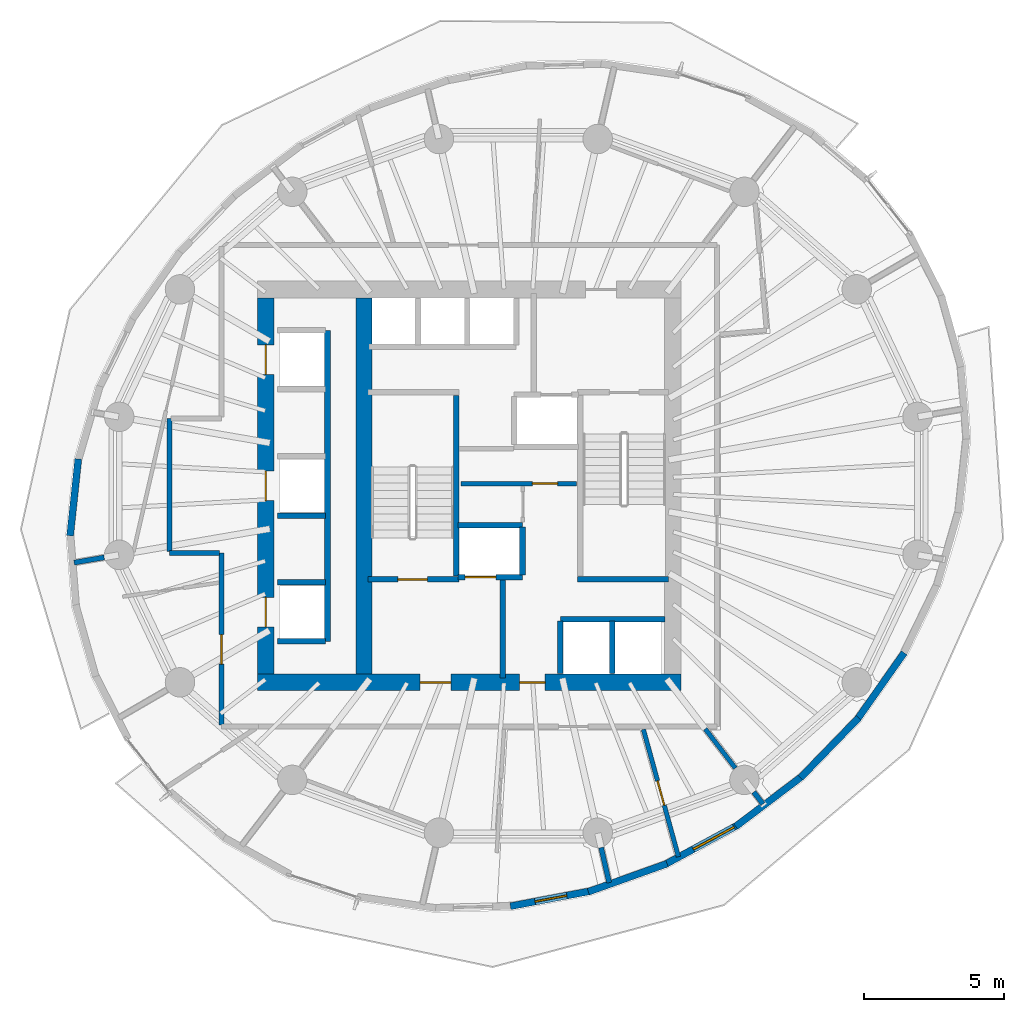
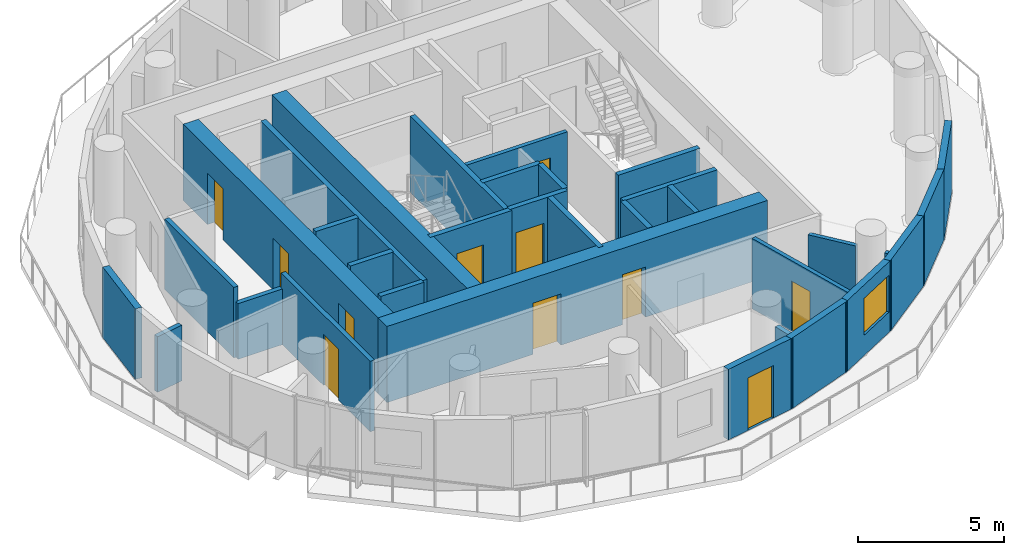
# One storey, part 5 of 12: 33 walls, 11 doors, 1 window, 12 openings.
"""IFC4 building model written with IfcOpenShell, lengths in metres."""

from ifc_helpers import new_model, si_unit, direction, frame, frame_2d, origin, place, context, subcontext, project, spatial, rectangle, extrude, material, layer, layer_set, type_object, element, fill, save


model = new_model("IFC4")

# Units and contexts
model_context = context("Model", 3, precision=1e-05, world=origin(), true_north=direction((0.0, 1.0)))
body_context = subcontext(model_context, "Body", "Model", "MODEL_VIEW")
ifc_project = project(units=[si_unit("LENGTHUNIT", "METRE"), si_unit("AREAUNIT", "SQUARE_METRE"), si_unit("VOLUMEUNIT", "CUBIC_METRE"), si_unit("PLANEANGLEUNIT", "RADIAN"), si_unit("MASSUNIT", "GRAM", prefix="KILO")], contexts=[model_context])

# Site, building, storey
site_placement = place(None, origin())
site = spatial("IfcSite", under=ifc_project, at=site_placement, CompositionType="ELEMENT")
building_placement = place(site_placement, origin())
building = spatial("IfcBuilding", under=site, at=building_placement, Name="Veldorim Arch Residences", CompositionType="ELEMENT")
storey_placement = place(building_placement, frame((0.0, 0.0, 136.159912109375)))
storey = spatial("IfcBuildingStorey", under=building, at=storey_placement, Name="L40", CompositionType="ELEMENT", Elevation=136.159912109375)

# Walls
ifc_material_1 = material(Name="Lightweight Masonry Block & Gypsum", Category="masonry")
ifc_layer_1 = layer(ifc_material_1, 0.179931640625, Name="Compartment & Corridor Fire-Rated Party Wall 180")
ifc_layer_set_1 = layer_set([ifc_layer_1], Name="Lightweight Masonry Block & Gypsum")
wall_type_1 = type_object("IfcWallType", Name="Compartment & Corridor Fire-Rated Party Wall 180", PredefinedType="PARTITIONING", material=ifc_layer_set_1)
wall_1_placement = place(storey_placement, frame((17.24169921875, 21.44921875, 0.0), z_axis=(0.0, 0.0, 1.0), x_axis=(-0.985361391556, -0.170478526599, 0.0)))
element("IfcWall", 1, at=wall_1_placement, inside=storey, type_object=wall_type_1, Name="L40 interior wall WL-PIER-L40-09", PredefinedType="PARTITIONING", context=body_context, shape_type="SweptSolid", body=[
    extrude(rectangle(XDim=1.0869140625, YDim=0.179931640625, at=frame_2d((0.54345703125, 0.0))), origin(), (0.0, 0.0, 1.0), 2.3359375),
])
wall_2_placement = place(storey_placement, frame((34.950439453125, 11.11083984375, 0.0), z_axis=(0.0, 0.0, 1.0), x_axis=(0.223093561241, -0.974797036789, 0.0)))
element("IfcWall", 2, at=wall_2_placement, inside=storey, type_object=wall_type_1, Name="L40 interior wall WL-PIER-L40-13", PredefinedType="PARTITIONING", context=body_context, shape_type="SweptSolid", body=[
    extrude(rectangle(XDim=1.282470703125, YDim=0.179931640625, at=frame_2d((0.64111328125, 0.0))), origin(), (0.0, 0.0, 1.0), 2.3359375),
])
wall_3_placement = place(storey_placement, frame((40.387939453125, 13.091552734375, 0.0), z_axis=(0.0, 0.0, 1.0), x_axis=(0.609469486836, -0.792809526063, 0.0)))
element("IfcWall", 3, at=wall_3_placement, inside=storey, type_object=wall_type_1, Name="L40 interior wall WL-PIER-L40-14", PredefinedType="PARTITIONING", context=body_context, shape_type="SweptSolid", body=[
    extrude(rectangle(XDim=0.5380859375, YDim=0.179931640625, at=frame_2d((0.26904296875, 0.0))), origin(), (0.0, 0.0, 1.0), 2.3359375),
])

# Wall, opening, door
wall_4_placement = place(storey_placement, frame((21.419921875, 15.47998046875, 0.0), z_axis=(0.0, 0.0, 1.0), x_axis=(0.0, 1.0, 0.0)))
wall_4 = element("IfcWall", 4, at=wall_4_placement, inside=storey, type_object=wall_type_1, Name="L40 interior wall WL-RES-L40-006", PredefinedType="PARTITIONING", context=body_context, shape_type="SweptSolid", body=[
    extrude(rectangle(XDim=6.1201171875, YDim=0.179931640625, at=frame_2d((3.06005859375, 0.0))), origin(), (0.0, 0.0, 1.0), 2.955078125),
])
opening_1_placement = place(wall_4_placement, frame((2.166748046875, 0.0, 0.0)))
opening_1 = element("IfcOpeningElement", 5, at=opening_1_placement, cuts=wall_4, Name="Opening DR-FLT", PredefinedType="OPENING", context=body_context, shape_type="SweptSolid", body=[
    extrude(rectangle(XDim=1.050048828125, YDim=2.14990234375, at=frame_2d((0.52490234375, 1.074951171875))), frame((0.0, 0.099853515625, 0.0), z_axis=(0.0, -1.0, 0.0), x_axis=(1.0, 0.0, 0.0)), (0.0, 0.0, 1.0), 0.199951171875),
])
ifc_material_2 = material(Name="Fire-Rated Timber", Category="wood")
door_type_1 = type_object("IfcDoorType", Name="Apartment Entrance Solid-Core Fire Door 1050x2150", OperationType="SINGLE_SWING_LEFT", PredefinedType="DOOR", material=ifc_material_2)
door_1_placement = place(opening_1_placement, origin())
door_1 = element("IfcDoor", 6, at=door_1_placement, inside=storey, type_object=door_type_1, Name="L40 interior door DR-RES-L40-011", OperationType="SINGLE_SWING_LEFT", OverallHeight=2.14990234375, OverallWidth=1.050048828125, PredefinedType="DOOR", context=body_context, shape_type="SweptSolid", body=[
    extrude(rectangle(XDim=1.050048828125, YDim=2.14990234375, at=frame_2d((0.52490234375, 1.074951171875))), frame((0.0, 0.02490234375, 0.0), z_axis=(0.0, -1.0, 0.0), x_axis=(1.0, 0.0, 0.0)), (0.0, 0.0, 1.0), 0.050048828125),
])
fill(opening_1, door_1)

# Walls
wall_5_placement = place(storey_placement, frame((21.360107421875, 21.60009765625, 0.0), z_axis=(0.0, 0.0, 1.0), x_axis=(-1.0, 0.0, 0.0)))
element("IfcWall", 7, at=wall_5_placement, inside=storey, type_object=wall_type_1, Name="L40 interior wall WL-RES-L40-007", PredefinedType="PARTITIONING", context=body_context, shape_type="SweptSolid", body=[
    extrude(rectangle(XDim=1.7900390625, YDim=0.179931640625, at=frame_2d((0.89501953125, 0.0))), origin(), (0.0, 0.0, 1.0), 2.3359375),
])
wall_6_placement = place(storey_placement, frame((19.570068359375, 21.659912109375, 0.0), z_axis=(0.0, 0.0, 1.0), x_axis=(0.0, 1.0, 0.0)))
element("IfcWall", 8, at=wall_6_placement, inside=storey, type_object=wall_type_1, Name="L40 interior wall WL-RES-L40-008", PredefinedType="PARTITIONING", context=body_context, shape_type="SweptSolid", body=[
    extrude(rectangle(XDim=4.739990234375, YDim=0.179931640625, at=frame_2d((2.3701171875, 0.0))), origin(), (0.0, 0.0, 1.0), 2.955078125),
])
ifc_material_3 = material(Name="Concrete C50/60", Category="concrete")
ifc_layer_2 = layer(ifc_material_3, 0.199951171875, Name="Core Stair & Lift Shaft Enclosure Wall 200")
ifc_layer_set_2 = layer_set([ifc_layer_2], Name="Concrete C50/60")
wall_type_2 = type_object("IfcWallType", Name="Core Stair & Lift Shaft Enclosure Wall 200", PredefinedType="SHEAR", material=ifc_layer_set_2)
wall_7_placement = place(storey_placement, frame((29.7900390625, 20.780029296875, 0.0), z_axis=(0.0, 0.0, 1.0), x_axis=(0.0, 1.0, 0.0)))
element("IfcWall", 9, at=wall_7_placement, inside=storey, type_object=wall_type_2, Name="L40 shaft wall WL-SHF-L40-ST1-E", PredefinedType="SHEAR", context=body_context, shape_type="SweptSolid", body=[
    extrude(rectangle(XDim=6.43994140625, YDim=0.199951171875, at=frame_2d((3.219970703125, 0.0))), origin(), (0.0, 0.0, 1.0), 3.2001953125),
])

# Wall, opening, door
wall_8_placement = place(storey_placement, frame((26.64990234375, 20.669921875, 0.0), z_axis=(0.0, 0.0, 1.0), x_axis=(1.0, 0.0, 0.0)))
wall_8 = element("IfcWall", 10, at=wall_8_placement, inside=storey, type_object=wall_type_2, Name="L40 shaft wall WL-SHF-L40-ST1-S", PredefinedType="SHEAR", context=body_context, shape_type="SweptSolid", body=[
    extrude(rectangle(XDim=3.239990234375, YDim=0.199951171875, at=frame_2d((1.6201171875, 0.0))), origin(), (0.0, 0.0, 1.0), 3.2001953125),
])
opening_2_placement = place(wall_8_placement, frame((1.054931640625, 0.0, 0.0)))
opening_2 = element("IfcOpeningElement", 11, at=opening_2_placement, cuts=wall_8, Name="Opening DR-ST", PredefinedType="OPENING", context=body_context, shape_type="SweptSolid", body=[
    extrude(rectangle(XDim=1.050048828125, YDim=2.14990234375, at=frame_2d((0.52490234375, 1.074951171875))), frame((0.0, 0.10986328125, 0.0), z_axis=(0.0, -1.0, 0.0), x_axis=(1.0, 0.0, 0.0)), (0.0, 0.0, 1.0), 0.219970703125),
])
ifc_material_4 = material(Name="Fire-Rated Steel", Category="steel")
door_type_2 = type_object("IfcDoorType", Name="Exit Staircase Self-Closing Fire Door 1050x2150", OperationType="SINGLE_SWING_LEFT", PredefinedType="DOOR", material=ifc_material_4)
door_2_placement = place(opening_2_placement, origin())
door_2 = element("IfcDoor", 12, at=door_2_placement, inside=storey, type_object=door_type_2, Name="L40 interior door DR-L40-ST1", OperationType="SINGLE_SWING_LEFT", OverallHeight=2.14990234375, OverallWidth=1.050048828125, PredefinedType="DOOR", context=body_context, shape_type="SweptSolid", body=[
    extrude(rectangle(XDim=1.050048828125, YDim=2.14990234375, at=frame_2d((0.52490234375, 1.074951171875))), frame((0.0, 0.02490234375, 0.0), z_axis=(0.0, -1.0, 0.0), x_axis=(1.0, 0.0, 0.0)), (0.0, 0.0, 1.0), 0.050048828125),
])
fill(opening_2, door_2)

# Walls
wall_9_placement = place(storey_placement, frame((34.110107421875, 20.669921875, 0.0), z_axis=(0.0, 0.0, 1.0), x_axis=(1.0, 0.0, 0.0)))
element("IfcWall", 13, at=wall_9_placement, inside=storey, type_object=wall_type_2, Name="L40 shaft wall WL-SHF-L40-ST2-S", PredefinedType="SHEAR", context=body_context, shape_type="SweptSolid", body=[
    extrude(rectangle(XDim=3.239990234375, YDim=0.199951171875, at=frame_2d((1.6201171875, 0.0))), origin(), (0.0, 0.0, 1.0), 3.2001953125),
])
wall_10_placement = place(storey_placement, frame((31.449951171875, 17.14990234375, 0.0), z_axis=(0.0, 0.0, 1.0), x_axis=(0.0, 1.0, 0.0)))
element("IfcWall", 14, at=wall_10_placement, inside=storey, type_object=wall_type_2, Name="L40 shaft wall WL-FFL1-L40-E", PredefinedType="SHEAR", context=body_context, shape_type="SweptSolid", body=[
    extrude(rectangle(XDim=3.5, YDim=0.199951171875, at=frame_2d((1.75, 0.0))), origin(), (0.0, 0.0, 1.0), 3.2001953125),
])

# Wall, opening, door
wall_11_placement = place(storey_placement, frame((29.85009765625, 20.75, 0.0), z_axis=(0.0, 0.0, 1.0), x_axis=(1.0, 0.0, 0.0)))
wall_11 = element("IfcWall", 15, at=wall_11_placement, inside=storey, type_object=wall_type_2, Name="L40 shaft wall WL-FL01-L40-S", PredefinedType="SHEAR", context=body_context, shape_type="SweptSolid", body=[
    extrude(rectangle(XDim=2.2998046875, YDim=0.199951171875, at=frame_2d((1.14990234375, 0.0))), origin(), (0.0, 0.0, 1.0), 3.2001953125),
])
opening_3_placement = place(wall_11_placement, frame((0.25, 0.0, 0.0)))
opening_3 = element("IfcOpeningElement", 16, at=opening_3_placement, cuts=wall_11, Name="Opening LD-FF", PredefinedType="OPENING", context=body_context, shape_type="SweptSolid", body=[
    extrude(rectangle(XDim=1.10009765625, YDim=2.14990234375, at=frame_2d((0.550048828125, 1.074951171875))), frame((0.0, 0.10986328125, 0.0), z_axis=(0.0, -1.0, 0.0), x_axis=(1.0, 0.0, 0.0)), (0.0, 0.0, 1.0), 0.219970703125),
])
ifc_material_5 = material(Name="Stainless Steel", Category="steel")
door_type_3 = type_object("IfcDoorType", Name="Firefighting Lift Bi-Parting Sliding Landing Door 1100x2150", OperationType="DOUBLE_DOOR_SLIDING", PredefinedType="DOOR", material=ifc_material_5)
door_3_placement = place(opening_3_placement, origin())
door_3 = element("IfcDoor", 17, at=door_3_placement, inside=storey, type_object=door_type_3, Name="L40 lift landing door LD-L40-FL01", OperationType="DOUBLE_DOOR_SLIDING", OverallHeight=2.14990234375, OverallWidth=1.10009765625, PredefinedType="DOOR", context=body_context, shape_type="SweptSolid", body=[
    extrude(rectangle(XDim=1.10009765625, YDim=2.14990234375, at=frame_2d((0.550048828125, 1.074951171875))), frame((0.0, 0.02490234375, 0.0), z_axis=(0.0, -1.0, 0.0), x_axis=(1.0, 0.0, 0.0)), (0.0, 0.0, 1.0), 0.050048828125),
])
fill(opening_3, door_3)

# Walls
wall_12_placement = place(storey_placement, frame((29.85009765625, 22.60009765625, 0.0), z_axis=(0.0, 0.0, 1.0), x_axis=(1.0, 0.0, 0.0)))
element("IfcWall", 18, at=wall_12_placement, inside=storey, type_object=wall_type_2, Name="L40 shaft wall WL-FL01-L40-N", PredefinedType="SHEAR", context=body_context, shape_type="SweptSolid", body=[
    extrude(rectangle(XDim=2.2998046875, YDim=0.199951171875, at=frame_2d((1.14990234375, 0.0))), origin(), (0.0, 0.0, 1.0), 3.2001953125),
])
wall_13_placement = place(storey_placement, frame((32.14990234375, 20.820068359375, 0.0), z_axis=(0.0, 0.0, 1.0), x_axis=(0.0, 1.0, 0.0)))
element("IfcWall", 19, at=wall_13_placement, inside=storey, type_object=wall_type_2, Name="L40 shaft wall WL-FL01-L40-E", PredefinedType="SHEAR", context=body_context, shape_type="SweptSolid", body=[
    extrude(rectangle(XDim=1.7099609375, YDim=0.199951171875, at=frame_2d((0.85498046875, 0.0))), origin(), (0.0, 0.0, 1.0), 3.2001953125),
])
wall_14_placement = place(storey_placement, frame((25.199951171875, 18.4599609375, 0.0), z_axis=(0.0, 0.0, 1.0), x_axis=(0.0, 1.0, 0.0)))
element("IfcWall", 20, at=wall_14_placement, inside=storey, type_object=wall_type_2, Name="L40 shaft wall WL-B2-L40-E", PredefinedType="SHEAR", context=body_context, shape_type="SweptSolid", body=[
    extrude(rectangle(XDim=11.080078125, YDim=0.199951171875, at=frame_2d((5.5400390625, 0.0))), origin(), (0.0, 0.0, 1.0), 3.2001953125),
])
for number, where, z_axis, x_axis, name in (
    (21, (23.419921875, 18.4599609375, 0.0), (0.0, 0.0, 1.0), (1.0, 0.0, 0.0), "L40 shaft wall WL-B2-L40-S"),
    (22, (23.419921875, 20.56005859375, 0.0), (0.0, 0.0, 1.0), (1.0, 0.0, 0.0), "L40 shaft wall WL-B2-L40-D1A"),
    (23, (23.419921875, 22.93994140625, 0.0), (0.0, 0.0, 1.0), (1.0, 0.0, 0.0), "L40 shaft wall WL-B2-L40-D1B"),
):
    element("IfcWall", number, at=place(storey_placement, frame(where, z_axis=z_axis, x_axis=x_axis)), inside=storey, type_object=wall_type_2, Name=name, PredefinedType="SHEAR", context=body_context, shape_type="SweptSolid", body=[
        extrude(rectangle(XDim=1.7099609375, YDim=0.199951171875, at=frame_2d((0.85498046875, 0.0))), origin(), (0.0, 0.0, 1.0), 3.2001953125),
    ])
wall_15_placement = place(storey_placement, frame((33.5, 19.25, 0.0), z_axis=(0.0, 0.0, 1.0), x_axis=(1.0, 0.0, 0.0)))
element("IfcWall", 24, at=wall_15_placement, inside=storey, type_object=wall_type_2, Name="L40 shaft wall WL-OL-L40-N", PredefinedType="SHEAR", context=body_context, shape_type="SweptSolid", body=[
    extrude(rectangle(XDim=3.719970703125, YDim=0.199951171875, at=frame_2d((1.85986328125, 0.0))), origin(), (0.0, 0.0, 1.0), 3.2001953125),
])
for number, where, z_axis, x_axis, name in (
    (25, (33.5, 17.320068359375, 0.0), (0.0, 0.0, 1.0), (0.0, 1.0, 0.0), "L40 shaft wall WL-OL-L40-W"),
    (26, (35.35009765625, 17.320068359375, 0.0), (0.0, 0.0, 1.0), (0.0, 1.0, 0.0), "L40 shaft wall WL-OL-L40-D1"),
):
    element("IfcWall", number, at=place(storey_placement, frame(where, z_axis=z_axis, x_axis=x_axis)), inside=storey, type_object=wall_type_2, Name=name, PredefinedType="SHEAR", context=body_context, shape_type="SweptSolid", body=[
        extrude(rectangle(XDim=1.85986328125, YDim=0.199951171875, at=frame_2d((0.929931640625, 0.0))), origin(), (0.0, 0.0, 1.0), 3.2001953125),
    ])

# Wall, openings, doors
ifc_material_6 = material(Name="Concrete C50/60", Category="concrete")
ifc_layer_3 = layer(ifc_material_6, 0.60009765625, Name="Mid-Upper Central Core Shear Wall 600")
ifc_layer_set_3 = layer_set([ifc_layer_3], Name="Concrete C50/60")
wall_type_3 = type_object("IfcWallType", Name="Mid-Upper Central Core Shear Wall 600", PredefinedType="SHEAR", material=ifc_layer_set_3)
wall_16_placement = place(storey_placement, frame((22.699951171875, 17.0, 0.0), z_axis=(0.0, 0.0, 1.0), x_axis=(1.0, 0.0, 0.0)))
wall_16 = element("IfcWall", 27, at=wall_16_placement, inside=storey, type_object=wall_type_3, Name="L40 central core south shear wall", PredefinedType="SHEAR", context=body_context, shape_type="SweptSolid", body=[
    extrude(rectangle(XDim=15.10009765625, YDim=0.60009765625, at=frame_2d((7.550048828125, 0.0))), origin(), (0.0, 0.0, 1.0), 3.2001953125),
])
opening_4_placement = place(wall_16_placement, frame((5.800048828125, 0.0, 0.0)))
opening_4 = element("IfcOpeningElement", 28, at=opening_4_placement, cuts=wall_16, Name="Opening DR-FFL", PredefinedType="OPENING", context=body_context, shape_type="SweptSolid", body=[
    extrude(rectangle(XDim=1.10009765625, YDim=2.14990234375, at=frame_2d((0.550048828125, 1.074951171875))), frame((0.0, 0.31005859375, 0.0), z_axis=(0.0, -1.0, 0.0), x_axis=(1.0, 0.0, 0.0)), (0.0, 0.0, 1.0), 0.6201171875),
])
opening_5_placement = place(wall_16_placement, frame((9.35009765625, 0.0, 0.0)))
opening_5 = element("IfcOpeningElement", 29, at=opening_5_placement, cuts=wall_16, Name="Opening DR-SVC", PredefinedType="OPENING", context=body_context, shape_type="SweptSolid", body=[
    extrude(rectangle(XDim=0.89990234375, YDim=2.10009765625, at=frame_2d((0.449951171875, 1.050048828125))), frame((0.0, 0.31005859375, 0.0), z_axis=(0.0, -1.0, 0.0), x_axis=(1.0, 0.0, 0.0)), (0.0, 0.0, 1.0), 0.6201171875),
])
ifc_material_7 = material(Name="Fire-Rated Steel & Vision Glass", Category="steel")
door_type_4 = type_object("IfcDoorType", Name="Firefighting Lobby Smoke-Stop Fire Door 1100x2150", OperationType="SINGLE_SWING_LEFT", PredefinedType="DOOR", material=ifc_material_7)
door_4_placement = place(opening_4_placement, origin())
door_4 = element("IfcDoor", 30, at=door_4_placement, inside=storey, type_object=door_type_4, Name="L40 interior door DR-L40-FFL1", OperationType="SINGLE_SWING_RIGHT", OverallHeight=2.14990234375, OverallWidth=1.10009765625, PredefinedType="DOOR", context=body_context, shape_type="SweptSolid", body=[
    extrude(rectangle(XDim=1.10009765625, YDim=2.14990234375, at=frame_2d((0.550048828125, 1.074951171875))), frame((0.0, 0.02490234375, 0.0), z_axis=(0.0, -1.0, 0.0), x_axis=(1.0, 0.0, 0.0)), (0.0, 0.0, 1.0), 0.050048828125),
])
fill(opening_4, door_4)
ifc_material_8 = material(Name="Fire-Rated Steel", Category="steel")
door_type_5 = type_object("IfcDoorType", Name="Riser, Shelter & Plant Room Rated Steel Door 900x2100", OperationType="SINGLE_SWING_LEFT", PredefinedType="DOOR", material=ifc_material_8)
door_5_placement = place(opening_5_placement, origin())
door_5 = element("IfcDoor", 31, at=door_5_placement, inside=storey, type_object=door_type_5, Name="L40 interior door DR-L40-COR-ANC", OperationType="SINGLE_SWING_LEFT", OverallHeight=2.10009765625, OverallWidth=0.89990234375, PredefinedType="DOOR", context=body_context, shape_type="SweptSolid", body=[
    extrude(rectangle(XDim=0.89990234375, YDim=2.10009765625, at=frame_2d((0.449951171875, 1.050048828125))), frame((0.0, 0.02490234375, 0.0), z_axis=(0.0, -1.0, 0.0), x_axis=(1.0, 0.0, 0.0)), (0.0, 0.0, 1.0), 0.050048828125),
])
fill(opening_5, door_5)

wall_17_placement = place(storey_placement, frame((23.0, 17.300048828125, 0.0), z_axis=(0.0, 0.0, 1.0), x_axis=(0.0, 1.0, 0.0)))
wall_17 = element("IfcWall", 32, at=wall_17_placement, inside=storey, type_object=wall_type_3, Name="L40 central core west shear wall", PredefinedType="SHEAR", context=body_context, shape_type="SweptSolid", body=[
    extrude(rectangle(XDim=13.39990234375, YDim=0.60009765625, at=frame_2d((6.699951171875, 0.0))), origin(), (0.0, 0.0, 1.0), 3.2001953125),
])
opening_6_placement = place(wall_17_placement, frame((1.675048828125, 0.0, 0.0)))
opening_6 = element("IfcOpeningElement", 33, at=opening_6_placement, cuts=wall_17, Name="Opening LD-PS", PredefinedType="OPENING", context=body_context, shape_type="SweptSolid", body=[
    extrude(rectangle(XDim=1.050048828125, YDim=2.14990234375, at=frame_2d((0.52490234375, 1.074951171875))), frame((0.0, 0.31005859375, 0.0), z_axis=(0.0, -1.0, 0.0), x_axis=(1.0, 0.0, 0.0)), (0.0, 0.0, 1.0), 0.6201171875),
])
opening_7_placement = place(wall_17_placement, frame((6.175048828125, 0.0, 0.0)))
opening_7 = element("IfcOpeningElement", 34, at=opening_7_placement, cuts=wall_17, Name="Opening LD-PS", PredefinedType="OPENING", context=body_context, shape_type="SweptSolid", body=[
    extrude(rectangle(XDim=1.050048828125, YDim=2.14990234375, at=frame_2d((0.52490234375, 1.074951171875))), frame((0.0, 0.31005859375, 0.0), z_axis=(0.0, -1.0, 0.0), x_axis=(1.0, 0.0, 0.0)), (0.0, 0.0, 1.0), 0.6201171875),
])
opening_8_placement = place(wall_17_placement, frame((10.675048828125, 0.0, 0.0)))
opening_8 = element("IfcOpeningElement", 35, at=opening_8_placement, cuts=wall_17, Name="Opening LD-PS", PredefinedType="OPENING", context=body_context, shape_type="SweptSolid", body=[
    extrude(rectangle(XDim=1.050048828125, YDim=2.14990234375, at=frame_2d((0.52490234375, 1.074951171875))), frame((0.0, 0.31005859375, 0.0), z_axis=(0.0, -1.0, 0.0), x_axis=(1.0, 0.0, 0.0)), (0.0, 0.0, 1.0), 0.6201171875),
])
ifc_material_9 = material(Name="Stainless Steel", Category="steel")
door_type_6 = type_object("IfcDoorType", Name="Passenger Lift Bi-Parting Sliding Landing Door 1050x2150", OperationType="DOUBLE_DOOR_SLIDING", PredefinedType="DOOR", material=ifc_material_9)
door_6_placement = place(opening_6_placement, origin())
door_6 = element("IfcDoor", 36, at=door_6_placement, inside=storey, type_object=door_type_6, Name="L40 lift landing door LD-L40-PL-05", OperationType="DOUBLE_DOOR_SLIDING", OverallHeight=2.14990234375, OverallWidth=1.050048828125, PredefinedType="DOOR", context=body_context, shape_type="SweptSolid", body=[
    extrude(rectangle(XDim=1.050048828125, YDim=2.14990234375, at=frame_2d((0.52490234375, 1.074951171875))), frame((0.0, 0.02490234375, 0.0), z_axis=(0.0, -1.0, 0.0), x_axis=(1.0, 0.0, 0.0)), (0.0, 0.0, 1.0), 0.050048828125),
])
fill(opening_6, door_6)
door_7_placement = place(opening_7_placement, origin())
door_7 = element("IfcDoor", 37, at=door_7_placement, inside=storey, type_object=door_type_6, Name="L40 lift landing door LD-L40-PL-06", OperationType="DOUBLE_DOOR_SLIDING", OverallHeight=2.14990234375, OverallWidth=1.050048828125, PredefinedType="DOOR", context=body_context, shape_type="SweptSolid", body=[
    extrude(rectangle(XDim=1.050048828125, YDim=2.14990234375, at=frame_2d((0.52490234375, 1.074951171875))), frame((0.0, 0.02490234375, 0.0), z_axis=(0.0, -1.0, 0.0), x_axis=(1.0, 0.0, 0.0)), (0.0, 0.0, 1.0), 0.050048828125),
])
fill(opening_7, door_7)
door_8_placement = place(opening_8_placement, origin())
door_8 = element("IfcDoor", 38, at=door_8_placement, inside=storey, type_object=door_type_6, Name="L40 lift landing door LD-L40-PL-07", OperationType="DOUBLE_DOOR_SLIDING", OverallHeight=2.14990234375, OverallWidth=1.050048828125, PredefinedType="DOOR", context=body_context, shape_type="SweptSolid", body=[
    extrude(rectangle(XDim=1.050048828125, YDim=2.14990234375, at=frame_2d((0.52490234375, 1.074951171875))), frame((0.0, 0.02490234375, 0.0), z_axis=(0.0, -1.0, 0.0), x_axis=(1.0, 0.0, 0.0)), (0.0, 0.0, 1.0), 0.050048828125),
])
fill(opening_8, door_8)

# Wall
ifc_material_10 = material(Name="Precast concrete C40/50", Category="concrete")
ifc_layer_4 = layer(ifc_material_10, 0.25, Name="Tower Terracotta Spandrel & Pier Wall 250")
ifc_layer_set_4 = layer_set([ifc_layer_4], Name="Precast concrete C40/50")
wall_type_4 = type_object("IfcWallType", Name="Tower Terracotta Spandrel & Pier Wall 250", PredefinedType="SOLIDWALL", material=ifc_layer_set_4)
wall_18_placement = place(storey_placement, frame((16.02880859375, 22.22119140625, 0.0), z_axis=(0.0, 0.0, 1.0), x_axis=(0.106010014212, 0.994365062181, 0.0)))
element("IfcWall", 39, at=wall_18_placement, inside=storey, type_object=wall_type_4, Name="L40 terracotta facade wall 15", PredefinedType="SOLIDWALL", context=body_context, shape_type="SweptSolid", body=[
    extrude(rectangle(XDim=2.752197265625, YDim=0.25, at=frame_2d((1.3759765625, 0.0))), origin(), (0.0, 0.0, 1.0), 2.960205078125),
])

# Wall, opening, door
wall_19_placement = place(storey_placement, frame((34.60107421875, 9.56640625, 0.0), z_axis=(0.0, 0.0, 1.0), x_axis=(-0.982637070109, -0.185538105108, 0.0)))
wall_19 = element("IfcWall", 40, at=wall_19_placement, inside=storey, type_object=wall_type_4, Name="L40 terracotta facade wall 25", PredefinedType="SOLIDWALL", context=body_context, shape_type="SweptSolid", body=[
    extrude(rectangle(XDim=2.93701171875, YDim=0.25, at=frame_2d((1.468505859375, 0.0))), origin(), (0.0, 0.0, 1.0), 2.960205078125),
])
opening_9_placement = place(wall_19_placement, frame((0.89306640625, 0.0, 0.0)))
opening_9 = element("IfcOpeningElement", 41, at=opening_9_placement, cuts=wall_19, Name="Opening BL-DR", PredefinedType="OPENING", context=body_context, shape_type="SweptSolid", body=[
    extrude(rectangle(XDim=1.14990234375, YDim=2.199951171875, at=frame_2d((0.574951171875, 1.10009765625))), frame((0.0, 0.135009765625, 0.0), z_axis=(0.0, -1.0, 0.0), x_axis=(1.0, 0.0, 0.0)), (0.0, 0.0, 1.0), 0.27001953125),
])
ifc_material_11 = material(Name="Aluminium & Low-E Glass", Category="aluminium")
door_type_7 = type_object("IfcDoorType", Name="Glazed Planted Balcony Door 1150x2200", OperationType="SINGLE_SWING_LEFT", PredefinedType="DOOR", material=ifc_material_11)
door_9_placement = place(opening_9_placement, origin())
door_9 = element("IfcDoor", 42, at=door_9_placement, inside=storey, type_object=door_type_7, Name="L40 glazed outdoor terrace door BALC-2", OperationType="SINGLE_SWING_LEFT", OverallHeight=2.199951171875, OverallWidth=1.14990234375, PredefinedType="DOOR", context=body_context, shape_type="SweptSolid", body=[
    extrude(rectangle(XDim=1.14990234375, YDim=2.199951171875, at=frame_2d((0.574951171875, 1.10009765625))), frame((0.0, 0.02490234375, 0.0), z_axis=(0.0, -1.0, 0.0), x_axis=(1.0, 0.0, 0.0)), (0.0, 0.0, 1.0), 0.050048828125),
])
fill(opening_9, door_9)

# Wall
wall_20_placement = place(storey_placement, frame((37.29931640625, 10.538818359375, 0.0), z_axis=(0.0, 0.0, 1.0), x_axis=(-0.94175304307, -0.33630522724, 0.0)))
element("IfcWall", 43, at=wall_20_placement, inside=storey, type_object=wall_type_4, Name="L40 terracotta facade wall 26", PredefinedType="SOLIDWALL", context=body_context, shape_type="SweptSolid", body=[
    extrude(rectangle(XDim=2.97705078125, YDim=0.25, at=frame_2d((1.488525390625, 0.0))), origin(), (0.0, 0.0, 1.0), 2.960205078125),
])

# Wall, opening, window
wall_21_placement = place(storey_placement, frame((39.837158203125, 11.9208984375, 0.0), z_axis=(0.0, 0.0, 1.0), x_axis=(-0.879567466611, -0.475774181393, 0.0)))
wall_21 = element("IfcWall", 44, at=wall_21_placement, inside=storey, type_object=wall_type_4, Name="L40 terracotta facade wall 27", PredefinedType="SOLIDWALL", context=body_context, shape_type="SweptSolid", body=[
    extrude(rectangle(XDim=2.998291015625, YDim=0.25, at=frame_2d((1.4990234375, 0.0))), origin(), (0.0, 0.0, 1.0), 2.960205078125),
])
opening_10_placement = place(wall_21_placement, frame((0.175048828125, 0.0, 0.85009765625)))
opening_10 = element("IfcOpeningElement", 45, at=opening_10_placement, cuts=wall_21, Name="Opening WN-03", PredefinedType="OPENING", context=body_context, shape_type="SweptSolid", body=[
    extrude(rectangle(XDim=1.64990234375, YDim=1.550048828125, at=frame_2d((0.824951171875, 0.77490234375))), frame((0.0, 0.135009765625, 0.0), z_axis=(0.0, -1.0, 0.0), x_axis=(1.0, 0.0, 0.0)), (0.0, 0.0, 1.0), 0.27001953125),
])
ifc_material_12 = material(Name="Laminated Low-E Glass", Category="glass")
window_type = type_object("IfcWindowType", Name="Residential Wide Window 1650x1550", PartitioningType="SINGLE_PANEL", PredefinedType="WINDOW", material=ifc_material_12)
window_placement = place(opening_10_placement, origin())
window = element("IfcWindow", 46, at=window_placement, inside=storey, type_object=window_type, Name="L40 solar-control facade window 27", OverallHeight=1.550048828125, OverallWidth=1.64990234375, PartitioningType="SINGLE_PANEL", PredefinedType="WINDOW", context=body_context, shape_type="SweptSolid", body=[
    extrude(rectangle(XDim=1.64990234375, YDim=1.550048828125, at=frame_2d((0.824951171875, 0.77490234375))), frame((0.0, 0.030029296875, 0.0), z_axis=(0.0, -1.0, 0.0), x_axis=(1.0, 0.0, 0.0)), (0.0, 0.0, 1.0), 0.06005859375),
])
fill(opening_10, window)

# Walls
wall_22_placement = place(storey_placement, frame((42.136962890625, 13.6708984375, 0.0), z_axis=(0.0, 0.0, 1.0), x_axis=(-0.797511213298, -0.603304122863, 0.0)))
element("IfcWall", 47, at=wall_22_placement, inside=storey, type_object=wall_type_4, Name="L40 terracotta facade wall 28", PredefinedType="SOLIDWALL", context=body_context, shape_type="SweptSolid", body=[
    extrude(rectangle(XDim=2.998291015625, YDim=0.25, at=frame_2d((1.4990234375, 0.0))), origin(), (0.0, 0.0, 1.0), 2.960205078125),
])
wall_23_placement = place(storey_placement, frame((44.128173828125, 15.73583984375, 0.0), z_axis=(0.0, 0.0, 1.0), x_axis=(-0.696240605886, -0.717808483312, 0.0)))
element("IfcWall", 48, at=wall_23_placement, inside=storey, type_object=wall_type_4, Name="L40 terracotta facade wall 29", PredefinedType="SOLIDWALL", context=body_context, shape_type="SweptSolid", body=[
    extrude(rectangle(XDim=2.97705078125, YDim=0.25, at=frame_2d((1.488525390625, 0.0))), origin(), (0.0, 0.0, 1.0), 2.960205078125),
])
wall_24_placement = place(storey_placement, frame((45.75, 18.052490234375, 0.0), z_axis=(0.0, 0.0, 1.0), x_axis=(-0.576020449187, -0.817435283137, 0.0)))
element("IfcWall", 49, at=wall_24_placement, inside=storey, type_object=wall_type_4, Name="L40 terracotta facade wall 30", PredefinedType="SOLIDWALL", context=body_context, shape_type="SweptSolid", body=[
    extrude(rectangle(XDim=2.936767578125, YDim=0.25, at=frame_2d((1.46826171875, 0.0))), origin(), (0.0, 0.0, 1.0), 2.960205078125),
])
ifc_material_13 = material(Name="Concrete C50/60", Category="concrete")
ifc_layer_5 = layer(ifc_material_13, 0.56005859375, Name="Upper Internal Core Shear Web Wall 560")
ifc_layer_set_5 = layer_set([ifc_layer_5], Name="Concrete C50/60")
wall_type_5 = type_object("IfcWallType", Name="Upper Internal Core Shear Web Wall 560", PredefinedType="SHEAR", material=ifc_layer_set_5)
wall_25_placement = place(storey_placement, frame((26.5, 17.300048828125, 0.0), z_axis=(0.0, 0.0, 1.0), x_axis=(0.0, 1.0, 0.0)))
element("IfcWall", 50, at=wall_25_placement, inside=storey, type_object=wall_type_5, Name="L40 core west internal shear web", PredefinedType="SHEAR", context=body_context, shape_type="SweptSolid", body=[
    extrude(rectangle(XDim=13.39990234375, YDim=0.56005859375, at=frame_2d((6.699951171875, 0.0))), origin(), (0.0, 0.0, 1.0), 3.2001953125),
])

# Wall, opening, door
ifc_material_14 = material(Name="Moisture-Resistant Gypsum & Stud", Category="gypsum")
ifc_layer_6 = layer(ifc_material_14, 0.159912109375, Name="Wet-Area Moisture-Resistant Plumbing Wall 160")
ifc_layer_set_6 = layer_set([ifc_layer_6], Name="Moisture-Resistant Gypsum & Stud")
wall_type_6 = type_object("IfcWallType", Name="Wet-Area Moisture-Resistant Plumbing Wall 160", PredefinedType="PLUMBINGWALL", material=ifc_layer_set_6)
wall_26_placement = place(storey_placement, frame((29.949951171875, 24.080078125, 0.0), z_axis=(0.0, 0.0, 1.0), x_axis=(1.0, 0.0, 0.0)))
wall_26 = element("IfcWall", 51, at=wall_26_placement, inside=storey, type_object=wall_type_6, Name="L40 interior wall WL-CA-L40-1", PredefinedType="PLUMBINGWALL", context=body_context, shape_type="SweptSolid", body=[
    extrude(rectangle(XDim=4.130126953125, YDim=0.159912109375, at=frame_2d((2.06494140625, 0.0))), origin(), (0.0, 0.0, 1.0), 2.955078125),
])
opening_11_placement = place(wall_26_placement, frame((2.550048828125, 0.0, 0.0)))
opening_11 = element("IfcOpeningElement", 52, at=opening_11_placement, cuts=wall_26, Name="Opening DR-WC", PredefinedType="OPENING", context=body_context, shape_type="SweptSolid", body=[
    extrude(rectangle(XDim=0.89990234375, YDim=2.10009765625, at=frame_2d((0.449951171875, 1.050048828125))), frame((0.0, 0.08984375, 0.0), z_axis=(0.0, -1.0, 0.0), x_axis=(1.0, 0.0, 0.0)), (0.0, 0.0, 1.0), 0.179931640625),
])
ifc_material_15 = material(Name="Laminate Timber", Category="wood")
door_type_8 = type_object("IfcDoorType", Name="Bathroom & Accessible WC Moisture-Sealed Door 900x2100", OperationType="SINGLE_SWING_LEFT", PredefinedType="DOOR", material=ifc_material_15)
door_10_placement = place(opening_11_placement, origin())
door_10 = element("IfcDoor", 53, at=door_10_placement, inside=storey, type_object=door_type_8, Name="L40 interior door DR-L40-CA1", OperationType="SINGLE_SWING_LEFT", OverallHeight=2.10009765625, OverallWidth=0.89990234375, PredefinedType="DOOR", context=body_context, shape_type="SweptSolid", body=[
    extrude(rectangle(XDim=0.89990234375, YDim=2.10009765625, at=frame_2d((0.449951171875, 1.050048828125))), frame((0.0, 0.02490234375, 0.0), z_axis=(0.0, -1.0, 0.0), x_axis=(1.0, 0.0, 0.0)), (0.0, 0.0, 1.0), 0.050048828125),
])
fill(opening_11, door_10)

wall_27_placement = place(storey_placement, frame((36.454833984375, 15.323486328125, 0.0), z_axis=(0.0, 0.0, 1.0), x_axis=(0.265393905211, -0.964140070258, 0.0)))
wall_27 = element("IfcWall", 54, at=wall_27_placement, inside=storey, type_object=wall_type_6, Name="L40 interior wall WL-RES-L40-011", PredefinedType="PLUMBINGWALL", context=body_context, shape_type="SweptSolid", body=[
    extrude(rectangle(XDim=4.708251953125, YDim=0.159912109375, at=frame_2d((2.35400390625, 0.0))), origin(), (0.0, 0.0, 1.0), 2.955078125),
])
opening_12_placement = place(wall_27_placement, frame((1.904052734375, 0.0, 0.0)))
opening_12 = element("IfcOpeningElement", 55, at=opening_12_placement, cuts=wall_27, Name="Opening DR-WC", PredefinedType="OPENING", context=body_context, shape_type="SweptSolid", body=[
    extrude(rectangle(XDim=0.89990234375, YDim=2.10009765625, at=frame_2d((0.449951171875, 1.050048828125))), frame((0.0, 0.08984375, 0.0), z_axis=(0.0, -1.0, 0.0), x_axis=(1.0, 0.0, 0.0)), (0.0, 0.0, 1.0), 0.179931640625),
])
door_11_placement = place(opening_12_placement, origin())
door_11 = element("IfcDoor", 56, at=door_11_placement, inside=storey, type_object=door_type_8, Name="L40 interior door DR-RES-L40-002", OperationType="SINGLE_SWING_RIGHT", OverallHeight=2.10009765625, OverallWidth=0.89990234375, PredefinedType="DOOR", context=body_context, shape_type="SweptSolid", body=[
    extrude(rectangle(XDim=0.89990234375, YDim=2.10009765625, at=frame_2d((0.449951171875, 1.050048828125))), frame((0.0, 0.02490234375, 0.0), z_axis=(0.0, -1.0, 0.0), x_axis=(1.0, 0.0, 0.0)), (0.0, 0.0, 1.0), 0.050048828125),
])
fill(opening_12, door_11)

# Wall
wall_28_placement = place(storey_placement, frame((38.658447265625, 15.3408203125, 0.0), z_axis=(0.0, 0.0, 1.0), x_axis=(0.609536601946, -0.792757927042, 0.0)))
element("IfcWall", 57, at=wall_28_placement, inside=storey, type_object=wall_type_6, Name="L40 interior wall WL-RES-L40-013", PredefinedType="PLUMBINGWALL", context=body_context, shape_type="SweptSolid", body=[
    extrude(rectangle(XDim=1.761474609375, YDim=0.159912109375, at=frame_2d((0.880859375, 0.0))), origin(), (0.0, 0.0, 1.0), 2.3359375),
])

save(model, "model.ifc")
